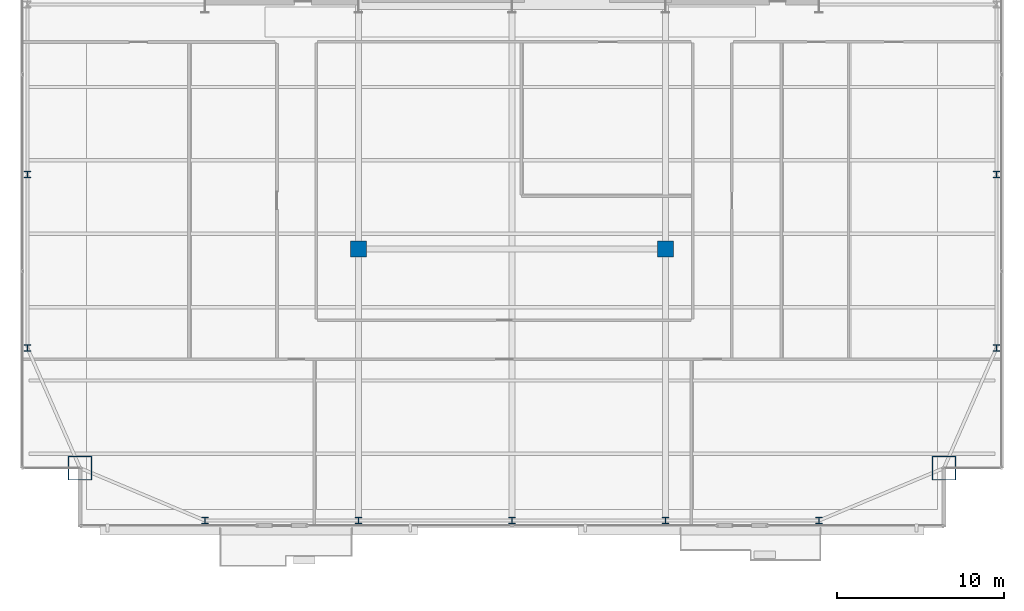
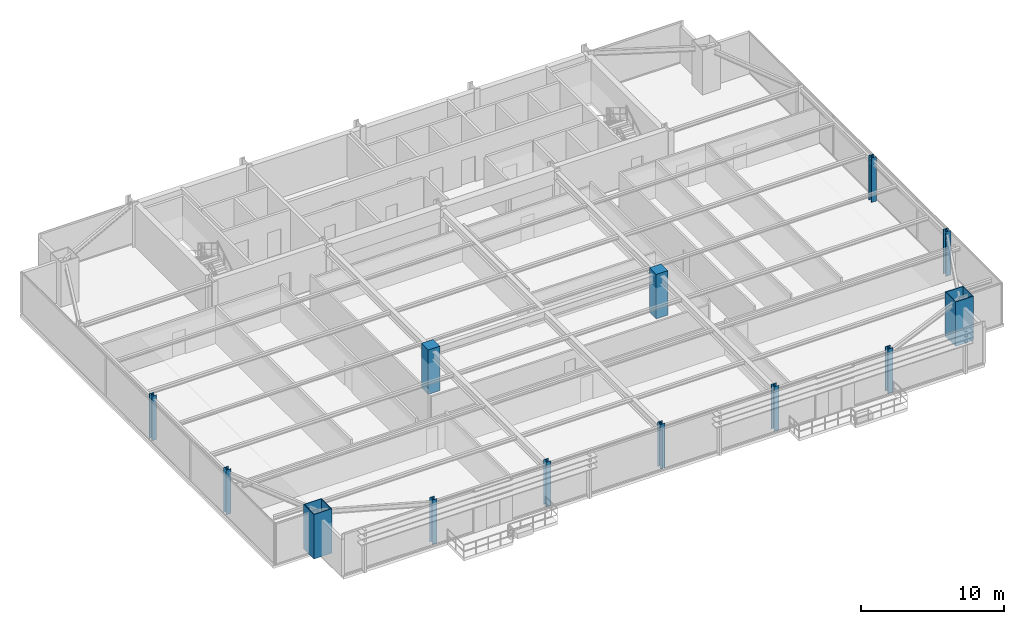
# One storey, part 1 of 32: 13 columns.
"""IFC4 building model written with IfcOpenShell, lengths in metres."""

from ifc_helpers import new_model, si_unit, direction, frame, origin, origin_2d, place, context, subcontext, project, spatial, rectangle, hollow_rectangle, i_section, extrude, source, transform, mapped, material, material_profile, profile_set, type_object, type_shapes, element, save


model = new_model("IFC4")

# Units and contexts
model_context = context("Model", 3, precision=1e-05, world=origin(), true_north=direction((0.0, 1.0)))
body_context = subcontext(model_context, "Body", "Model", "MODEL_VIEW")
ifc_project = project(units=[si_unit("LENGTHUNIT", "METRE"), si_unit("AREAUNIT", "SQUARE_METRE"), si_unit("VOLUMEUNIT", "CUBIC_METRE"), si_unit("PLANEANGLEUNIT", "RADIAN"), si_unit("MASSUNIT", "GRAM", prefix="KILO")], contexts=[model_context])

# Site, building, storey
site_placement = place(None, origin())
site = spatial("IfcSite", under=ifc_project, at=site_placement, CompositionType="ELEMENT")
building_placement = place(site_placement, origin())
building = spatial("IfcBuilding", under=site, at=building_placement, Name="Varnel Quay Broadcast Tower", CompositionType="ELEMENT")
storey_placement = place(building_placement, frame((0.0, 0.0, 133.39990234375)))
storey = spatial("IfcBuildingStorey", under=building, at=storey_placement, Name="L32", CompositionType="ELEMENT", Elevation=133.39990234375)

# Columns
ifc_material_1 = material(Name="Structural Steel CSA G40.21 350WT", Category="steel")
ifc_material_profile_1 = material_profile(ifc_material_1, hollow_rectangle(XDim=1.449951171875, YDim=1.449951171875, WallThickness=0.054931640625, at=origin_2d()), Name="BOX1450X1450X55")
ifc_profile_set_1 = profile_set([ifc_material_profile_1], Name="Structural Steel CSA G40.21 350WT")
column_type_1 = type_object("IfcColumnType", Name="Col_BOX1450X1450X55", PredefinedType="COLUMN", material=ifc_profile_set_1)
shared_shape_1 = source(origin(), body_context, "Body", "SweptSolid", [
    extrude(hollow_rectangle(XDim=1.449951171875, YDim=1.449951171875, WallThickness=0.054931640625, at=origin_2d()), origin(), (0.0, 0.0, 1.0), 3.800048828125),
])
type_shapes(column_type_1, [shared_shape_1])
for number, where, z_axis, x_axis, name in (
    (1, (8.10009765625, 7.800048828125, 0.0), (0.0, 0.0, 1.0), (1.0, 0.0, 0.0), "L32 Column MC-SW"),
    (2, (59.89990234375, 7.800048828125, 0.0), (0.0, 0.0, 1.0), (1.0, 0.0, 0.0), "L32 Column MC-SE"),
):
    element("IfcColumn", number, at=place(storey_placement, frame(where, z_axis=z_axis, x_axis=x_axis)), inside=storey, type_object=column_type_1, Name=name, PredefinedType="COLUMN", context=body_context, shape_type="MappedRepresentation", body=[
        mapped(shared_shape_1, transform((0.0, 0.0, 0.0), x_axis=(1.0, 0.0, 0.0), y_axis=(0.0, 1.0, 0.0), z_axis=(0.0, 0.0, 1.0), scale=1.0)),
    ])
ifc_material_2 = material(Name="Structural Steel CSA G40.21 350W", Category="steel")
ifc_material_profile_2 = material_profile(ifc_material_2, i_section(OverallWidth=0.39794921875, OverallDepth=0.386962890625, WebThickness=0.02099609375, FlangeThickness=0.033203125, FilletRadius=0.01806640625, at=origin_2d()), Name="W360X262")
ifc_profile_set_2 = profile_set([ifc_material_profile_2], Name="Structural Steel CSA G40.21 350W")
column_type_2 = type_object("IfcColumnType", Name="Col_W360X262", PredefinedType="COLUMN", material=ifc_profile_set_2)
shared_shape_2 = source(origin(), body_context, "Body", "SweptSolid", [
    extrude(i_section(OverallWidth=0.39794921875, OverallDepth=0.386962890625, WebThickness=0.02099609375, FlangeThickness=0.033203125, FilletRadius=0.01806640625, at=origin_2d()), origin(), (0.0, 0.0, 1.0), 3.800048828125),
])
type_shapes(column_type_2, [shared_shape_2])
for number, where, z_axis, x_axis, name in (
    (3, (15.60009765625, 4.64990234375, 0.0), (0.0, 0.0, 1.0), (1.0, 0.0, 0.0), "L32 Column TC-S1"),
    (4, (24.800048828125, 4.64990234375, 0.0), (0.0, 0.0, 1.0), (1.0, 0.0, 0.0), "L32 Column TC-S2"),
    (5, (34.0, 4.64990234375, 0.0), (0.0, 0.0, 1.0), (1.0, 0.0, 0.0), "L32 Column TC-S3"),
    (6, (43.199951171875, 4.64990234375, 0.0), (0.0, 0.0, 1.0), (1.0, 0.0, 0.0), "L32 Column TC-S4"),
    (7, (52.39990234375, 4.64990234375, 0.0), (0.0, 0.0, 1.0), (1.0, 0.0, 0.0), "L32 Column TC-S5"),
    (8, (4.949951171875, 15.0, 0.0), (0.0, 0.0, 1.0), (1.0, 0.0, 0.0), "L32 Column TC-W1"),
    (9, (63.050048828125, 15.0, 0.0), (0.0, 0.0, 1.0), (1.0, 0.0, 0.0), "L32 Column TC-E1"),
    (10, (4.949951171875, 25.39990234375, 0.0), (0.0, 0.0, 1.0), (1.0, 0.0, 0.0), "L32 Column TC-W2"),
    (11, (63.050048828125, 25.39990234375, 0.0), (0.0, 0.0, 1.0), (1.0, 0.0, 0.0), "L32 Column TC-E2"),
):
    element("IfcColumn", number, at=place(storey_placement, frame(where, z_axis=z_axis, x_axis=x_axis)), inside=storey, type_object=column_type_2, Name=name, PredefinedType="COLUMN", context=body_context, shape_type="MappedRepresentation", body=[
        mapped(shared_shape_2, transform((0.0, 0.0, 0.0), x_axis=(1.0, 0.0, 0.0), y_axis=(0.0, 1.0, 0.0), z_axis=(0.0, 0.0, 1.0), scale=1.0)),
    ])
ifc_material_3 = material(Name="Concrete CSA A23.3 C50/60", Category="concrete")
ifc_material_profile_3 = material_profile(ifc_material_3, rectangle(XDim=0.949951171875, YDim=0.949951171875, at=origin_2d()), Name="RC950X950")
ifc_profile_set_3 = profile_set([ifc_material_profile_3], Name="Concrete CSA A23.3 C50/60")
column_type_3 = type_object("IfcColumnType", Name="Col_RC950X950", PredefinedType="COLUMN", material=ifc_profile_set_3)
shared_shape_3 = source(origin(), body_context, "Body", "SweptSolid", [
    extrude(rectangle(XDim=0.949951171875, YDim=0.949951171875, at=origin_2d()), origin(), (0.0, 0.0, 1.0), 3.800048828125),
])
type_shapes(column_type_3, [shared_shape_3])
for number, where, z_axis, x_axis, name in (
    (12, (24.800048828125, 20.929931640625, 0.0), (0.0, 0.0, 1.0), (1.0, 0.0, 0.0), "L32 Column IC-01"),
    (13, (43.199951171875, 20.929931640625, 0.0), (0.0, 0.0, 1.0), (1.0, 0.0, 0.0), "L32 Column IC-02"),
):
    element("IfcColumn", number, at=place(storey_placement, frame(where, z_axis=z_axis, x_axis=x_axis)), inside=storey, type_object=column_type_3, Name=name, PredefinedType="COLUMN", context=body_context, shape_type="MappedRepresentation", body=[
        mapped(shared_shape_3, transform((0.0, 0.0, 0.0), x_axis=(1.0, 0.0, 0.0), y_axis=(0.0, 1.0, 0.0), z_axis=(0.0, 0.0, 1.0), scale=1.0)),
    ])

save(model, "model.ifc")
